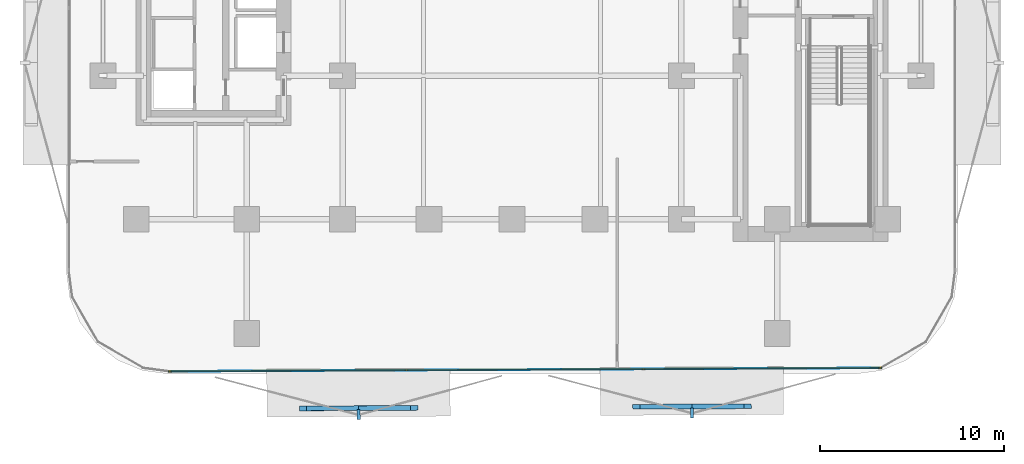
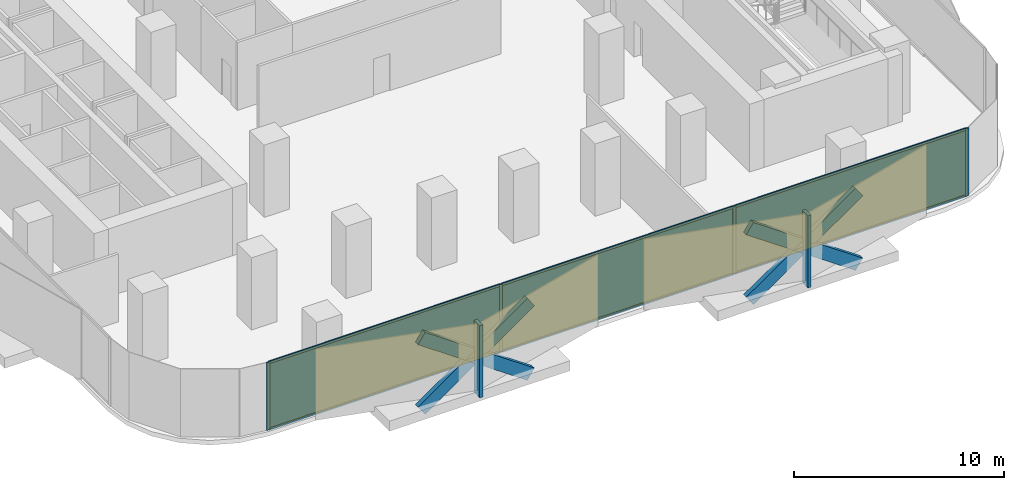
# One storey, part 7 of 15: 16 members, 3 plates, 1 curtain wall.
"""IFC4 building model written with IfcOpenShell, lengths in metres."""

from ifc_helpers import new_model, si_unit, direction, frame, frame_2d, origin, origin_2d, place, context, subcontext, project, spatial, rectangle, extrude, material, layer, layer_set, material_profile, profile_set, type_object, element, aggregate, save


model = new_model("IFC4")

# Units and contexts
model_context = context("Model", 3, precision=1e-05, world=origin(), true_north=direction((0.0, 1.0)))
body_context = subcontext(model_context, "Body", "Model", "MODEL_VIEW")
ifc_project = project(units=[si_unit("LENGTHUNIT", "METRE"), si_unit("AREAUNIT", "SQUARE_METRE"), si_unit("VOLUMEUNIT", "CUBIC_METRE"), si_unit("PLANEANGLEUNIT", "RADIAN"), si_unit("MASSUNIT", "GRAM", prefix="KILO")], contexts=[model_context])

# Member
ifc_material_1 = material(Name="Anodised Bronze Aluminium 6063-T6", Category="aluminium")
ifc_material_profile_1 = material_profile(ifc_material_1, rectangle(XDim=0.260009765625, YDim=0.699951171875, at=origin_2d()))
ifc_profile_set_1 = profile_set([ifc_material_profile_1], Name="Anodised Bronze Aluminium 6063-T6")
member_type_1 = type_object("IfcMemberType", Name="Bronze Diamond Solar-Screen Lattice Rib BDL-700", PredefinedType="MULLION", material=ifc_profile_set_1)
site_placement = place(None, origin())
building_placement = place(site_placement, origin())
storey_placement = place(building_placement, frame((0.0, 0.0, 30.199951171875)))
member_1_placement = place(storey_placement, frame((12.788818359375, -28.747802734375, -0.1298828125), z_axis=(-0.820743653079, -0.003984998518, 0.57128274586), x_axis=(-0.00764700594, 0.999962717129, -0.004010941449)))
member_1 = element("IfcMember", 1, at=member_1_placement, type_object=member_type_1, Name="L07 Bronze Diamond Solar Screen Lattice Rib 9A", PredefinedType="MULLION", context=body_context, shape_type="SweptSolid", body=[
    extrude(rectangle(XDim=0.260009765625, YDim=0.699951171875, at=origin_2d()), origin(), (0.0, 0.0, 1.0), 7.351806640625),
])

member_2_placement = place(storey_placement, frame((6.7548828125, -28.777099609375, -0.1298828125), z_axis=(0.820743653079, 0.003984998518, 0.57128274586), x_axis=(0.00764700594, -0.999962717129, -0.004010941449)))
member_2 = element("IfcMember", 2, at=member_2_placement, type_object=member_type_1, Name="L07 Bronze Diamond Solar Screen Lattice Rib 9B", PredefinedType="MULLION", context=body_context, shape_type="SweptSolid", body=[
    extrude(rectangle(XDim=0.260009765625, YDim=0.699951171875, at=origin_2d()), origin(), (0.0, 0.0, 1.0), 7.351806640625),
])

member_3_placement = place(storey_placement, frame((-5.31298828125, -28.835693359375, -0.1298828125), z_axis=(-0.820743653079, -0.003984998518, 0.57128274586), x_axis=(-0.00764700594, 0.999962717129, -0.004010941449)))
member_3 = element("IfcMember", 3, at=member_3_placement, type_object=member_type_1, Name="L07 Bronze Diamond Solar Screen Lattice Rib 10A", PredefinedType="MULLION", context=body_context, shape_type="SweptSolid", body=[
    extrude(rectangle(XDim=0.260009765625, YDim=0.699951171875, at=origin_2d()), origin(), (0.0, 0.0, 1.0), 7.351806640625),
])

member_4_placement = place(storey_placement, frame((-11.346923828125, -28.864990234375, -0.1298828125), z_axis=(0.820743653079, 0.003984998518, 0.57128274586), x_axis=(0.00764700594, -0.999962717129, -0.004010941449)))
member_4 = element("IfcMember", 4, at=member_4_placement, type_object=member_type_1, Name="L07 Bronze Diamond Solar Screen Lattice Rib 10B", PredefinedType="MULLION", context=body_context, shape_type="SweptSolid", body=[
    extrude(rectangle(XDim=0.260009765625, YDim=0.699951171875, at=origin_2d()), origin(), (0.0, 0.0, 1.0), 7.351806640625),
])

ifc_material_2 = material(Name="Anodised Bronze Aluminium 6063-T6", Category="aluminium")
ifc_material_profile_2 = material_profile(ifc_material_2, rectangle(XDim=0.179931640625, YDim=0.5400390625, at=origin_2d()))
ifc_profile_set_2 = profile_set([ifc_material_profile_2], Name="Anodised Bronze Aluminium 6063-T6")
member_type_2 = type_object("IfcMemberType", Name="Bronze Solar-Screen Vertical Fold Fin BSF-540", PredefinedType="MULLION", material=ifc_profile_set_2)
member_5_placement = place(storey_placement, frame((9.7734375, -29.1025390625, -0.1298828125), z_axis=(0.0, 0.0, 1.0), x_axis=(-0.999988059021, -0.004886902454, 0.0)))
member_5 = element("IfcMember", 5, at=member_5_placement, type_object=member_type_2, Name="L07 Bronze Solar Screen Vertical Fin 9", PredefinedType="MULLION", context=body_context, shape_type="SweptSolid", body=[
    extrude(rectangle(XDim=0.179931640625, YDim=0.5400390625, at=origin_2d()), origin(), (0.0, 0.0, 1.0), 4.199951171875),
])

member_6_placement = place(storey_placement, frame((-8.328369140625, -29.190185546875, -0.1298828125), z_axis=(0.0, 0.0, 1.0), x_axis=(-0.999988059021, -0.004886902454, 0.0)))
member_6 = element("IfcMember", 6, at=member_6_placement, type_object=member_type_2, Name="L07 Bronze Solar Screen Vertical Fin 10", PredefinedType="MULLION", context=body_context, shape_type="SweptSolid", body=[
    extrude(rectangle(XDim=0.179931640625, YDim=0.5400390625, at=origin_2d()), origin(), (0.0, 0.0, 1.0), 4.199951171875),
])

ifc_material_3 = material(Name="Anodised Bronze Aluminium 6063-T6", Category="aluminium")
ifc_material_profile_3 = material_profile(ifc_material_3, rectangle(XDim=0.06494140625, YDim=0.179931640625, at=origin_2d()))
ifc_profile_set_3 = profile_set([ifc_material_profile_3], Name="Anodised Bronze Aluminium 6063-T6")
member_type_3 = type_object("IfcMemberType", Name="CW-Z1 Mullion 65x180", PredefinedType="MULLION", material=ifc_profile_set_3)
member_7_placement = place(storey_placement, frame((19.98046875, -26.6728515625, 0.0), z_axis=(0.0, 0.0, 1.0), x_axis=(0.004849219095, -0.999988242468, 0.0)))
member_7 = element("IfcMember", 7, at=member_7_placement, type_object=member_type_3, Name="CW-Z1 mullion 1", PredefinedType="MULLION", context=body_context, shape_type="SweptSolid", body=[
    extrude(rectangle(XDim=0.06494140625, YDim=0.179931640625, at=origin_2d()), origin(), (0.0, 0.0, 1.0), 3.93994140625),
])

member_8_placement = place(storey_placement, frame((7.14501953125, -26.735107421875, 0.0), z_axis=(0.0, 0.0, 1.0), x_axis=(0.004849219095, -0.999988242468, 0.0)))
member_8 = element("IfcMember", 8, at=member_8_placement, type_object=member_type_3, Name="CW-Z1 mullion 2", PredefinedType="MULLION", context=body_context, shape_type="SweptSolid", body=[
    extrude(rectangle(XDim=0.06494140625, YDim=0.179931640625, at=origin_2d()), origin(), (0.0, 0.0, 1.0), 3.93994140625),
])

member_9_placement = place(storey_placement, frame((-5.722900390625, -26.797607421875, 0.0), z_axis=(0.0, 0.0, 1.0), x_axis=(0.004849219095, -0.999988242468, 0.0)))
member_9 = element("IfcMember", 9, at=member_9_placement, type_object=member_type_3, Name="CW-Z1 mullion 3", PredefinedType="MULLION", context=body_context, shape_type="SweptSolid", body=[
    extrude(rectangle(XDim=0.06494140625, YDim=0.179931640625, at=origin_2d()), origin(), (0.0, 0.0, 1.0), 3.93994140625),
])

member_10_placement = place(storey_placement, frame((-18.558349609375, -26.85986328125, 0.0), z_axis=(0.0, 0.0, 1.0), x_axis=(0.004849219095, -0.999988242468, 0.0)))
member_10 = element("IfcMember", 10, at=member_10_placement, type_object=member_type_3, Name="CW-Z1 mullion 4", PredefinedType="MULLION", context=body_context, shape_type="SweptSolid", body=[
    extrude(rectangle(XDim=0.06494140625, YDim=0.179931640625, at=origin_2d()), origin(), (0.0, 0.0, 1.0), 3.93994140625),
])

ifc_material_4 = material(Name="Anodised Bronze Aluminium 6063-T6", Category="aluminium")
ifc_material_profile_4 = material_profile(ifc_material_4, rectangle(XDim=0.06494140625, YDim=0.139892578125, at=origin_2d()))
ifc_profile_set_4 = profile_set([ifc_material_profile_4], Name="Anodised Bronze Aluminium 6063-T6")
member_type_4 = type_object("IfcMemberType", Name="CW-Z1 Transom 65x140", PredefinedType="USERDEFINED", material=ifc_profile_set_4)
member_11_placement = place(storey_placement, frame((19.947998046875, -26.673095703125, 0.032470703125), z_axis=(-0.99998821055, -0.004855796541, 0.0), x_axis=(0.004855796541, -0.99998821055, 0.0)))
member_11 = element("IfcMember", 11, at=member_11_placement, type_object=member_type_4, Name="CW-Z1 transom 1.1", ObjectType="TRANSOM", PredefinedType="USERDEFINED", context=body_context, shape_type="SweptSolid", body=[
    extrude(rectangle(XDim=0.06494140625, YDim=0.139892578125, at=origin_2d()), origin(), (0.0, 0.0, 1.0), 12.770751953125),
])

member_12_placement = place(storey_placement, frame((19.947998046875, -26.673095703125, 3.907470703125), z_axis=(-0.99998821055, -0.004855796541, 0.0), x_axis=(0.004855796541, -0.99998821055, 0.0)))
member_12 = element("IfcMember", 12, at=member_12_placement, type_object=member_type_4, Name="CW-Z1 transom 1.2", ObjectType="TRANSOM", PredefinedType="USERDEFINED", context=body_context, shape_type="SweptSolid", body=[
    extrude(rectangle(XDim=0.06494140625, YDim=0.139892578125, at=origin_2d()), origin(), (0.0, 0.0, 1.0), 12.770751953125),
])

member_13_placement = place(storey_placement, frame((7.112548828125, -26.7353515625, 0.032470703125), z_axis=(-0.999988270274, -0.004843481639, 0.0), x_axis=(0.004843481639, -0.999988270274, 0.0)))
member_13 = element("IfcMember", 13, at=member_13_placement, type_object=member_type_4, Name="CW-Z1 transom 2.1", ObjectType="TRANSOM", PredefinedType="USERDEFINED", context=body_context, shape_type="SweptSolid", body=[
    extrude(rectangle(XDim=0.06494140625, YDim=0.139892578125, at=origin_2d()), origin(), (0.0, 0.0, 1.0), 12.80322265625),
])

member_14_placement = place(storey_placement, frame((7.112548828125, -26.7353515625, 3.907470703125), z_axis=(-0.999988270274, -0.004843481639, 0.0), x_axis=(0.004843481639, -0.999988270274, 0.0)))
member_14 = element("IfcMember", 14, at=member_14_placement, type_object=member_type_4, Name="CW-Z1 transom 2.2", ObjectType="TRANSOM", PredefinedType="USERDEFINED", context=body_context, shape_type="SweptSolid", body=[
    extrude(rectangle(XDim=0.06494140625, YDim=0.139892578125, at=origin_2d()), origin(), (0.0, 0.0, 1.0), 12.80322265625),
])

member_15_placement = place(storey_placement, frame((-5.75537109375, -26.7978515625, 0.032470703125), z_axis=(-0.999988303196, -0.00483667968, 0.0), x_axis=(0.00483667968, -0.999988303196, 0.0)))
member_15 = element("IfcMember", 15, at=member_15_placement, type_object=member_type_4, Name="CW-Z1 transom 3.1", ObjectType="TRANSOM", PredefinedType="USERDEFINED", context=body_context, shape_type="SweptSolid", body=[
    extrude(rectangle(XDim=0.06494140625, YDim=0.139892578125, at=origin_2d()), origin(), (0.0, 0.0, 1.0), 12.770751953125),
])

member_16_placement = place(storey_placement, frame((-5.75537109375, -26.7978515625, 3.907470703125), z_axis=(-0.999988303196, -0.00483667968, 0.0), x_axis=(0.00483667968, -0.999988303196, 0.0)))
member_16 = element("IfcMember", 16, at=member_16_placement, type_object=member_type_4, Name="CW-Z1 transom 3.2", ObjectType="TRANSOM", PredefinedType="USERDEFINED", context=body_context, shape_type="SweptSolid", body=[
    extrude(rectangle(XDim=0.06494140625, YDim=0.139892578125, at=origin_2d()), origin(), (0.0, 0.0, 1.0), 12.770751953125),
])

# Plate
ifc_material_5 = material(Name="Low-E Solar Control Laminated Glass", Category="glass")
ifc_layer_1 = layer(ifc_material_5, 0.028076171875, Name="Low-E Solar Control Laminated Glass")
ifc_layer_set_1 = layer_set([ifc_layer_1], Name="Low-E Solar Control Laminated Glass")
plate_type = type_object("IfcPlateType", Name="CW-Z1 Low-E Double Glazed Panel 28mm", PredefinedType="CURTAIN_PANEL", material=ifc_layer_set_1)
plate_1_placement = place(storey_placement, frame((13.562744140625, -26.7041015625, 0.06494140625), z_axis=(0.0, 0.0, 1.0), x_axis=(-0.999988242468, -0.004849219095, 0.0)))
plate_1 = element("IfcPlate", 17, at=plate_1_placement, type_object=plate_type, Name="CW-Z1 panel 1.1", PredefinedType="CURTAIN_PANEL", context=body_context, shape_type="SweptSolid", body=[
    extrude(rectangle(XDim=12.7705078125, YDim=0.028076171875, at=origin_2d()), origin(), (0.0, 0.0, 1.0), 3.81005859375),
])

plate_2_placement = place(storey_placement, frame((0.7109375, -26.766357421875, 0.06494140625), z_axis=(0.0, 0.0, 1.0), x_axis=(-0.999988242468, -0.004849219095, 0.0)))
plate_2 = element("IfcPlate", 18, at=plate_2_placement, type_object=plate_type, Name="CW-Z1 panel 2.1", PredefinedType="CURTAIN_PANEL", context=body_context, shape_type="SweptSolid", body=[
    extrude(rectangle(XDim=12.802978515625, YDim=0.028076171875, at=origin_2d()), origin(), (0.0, 0.0, 1.0), 3.81005859375),
])

plate_3_placement = place(storey_placement, frame((-12.140625, -26.82861328125, 0.06494140625), z_axis=(0.0, 0.0, 1.0), x_axis=(-0.999988242468, -0.004849219095, 0.0)))
plate_3 = element("IfcPlate", 19, at=plate_3_placement, type_object=plate_type, Name="CW-Z1 panel 3.1", PredefinedType="CURTAIN_PANEL", context=body_context, shape_type="SweptSolid", body=[
    extrude(rectangle(XDim=12.7705078125, YDim=0.028076171875, at=origin_2d()), origin(), (0.0, 0.0, 1.0), 3.81005859375),
])

# Site, building, storey
site = spatial("IfcSite", under=ifc_project, at=site_placement, CompositionType="ELEMENT")
building = spatial("IfcBuilding", under=site, at=building_placement, Name="Khairoan Windgate Tower", CompositionType="ELEMENT")
storey = spatial("IfcBuildingStorey", under=building, at=storey_placement, Name="L07", CompositionType="ELEMENT", Elevation=30.199951171875)

# Curtain wall
ifc_material_6 = material(Name="Anodised Bronze Aluminium 6063-T6", Category="aluminium")
ifc_layer_2 = layer(ifc_material_6, 0.179931640625, Name="Anodised Bronze Aluminium 6063-T6")
ifc_layer_set_2 = layer_set([ifc_layer_2], Name="Anodised Bronze Aluminium 6063-T6")
curtain_wall_type = type_object("IfcCurtainWallType", Name="Low-Rise Office Unitised Curtain Wall CW-Z1", PredefinedType="NOTDEFINED", material=ifc_layer_set_2)
curtain_wall_placement = place(storey_placement, frame((20.012939453125, -26.6728515625, 0.0), z_axis=(0.0, 0.0, 1.0), x_axis=(-0.999988235487, -0.004850658525, 0.0)))
curtain_wall = element("IfcCurtainWall", 20, at=curtain_wall_placement, inside=storey, type_object=curtain_wall_type, Name="L07 Unitised Curtain Wall 1", PredefinedType="NOTDEFINED", context=body_context, shape_type="SweptSolid", body=[
    extrude(rectangle(XDim=38.604248046875, YDim=0.010009765625, at=frame_2d((19.30224609375, 0.0))), origin(), (0.0, 0.0, 1.0), 3.93994140625),
])

aggregate(curtain_wall, [member_7, member_8, member_9, member_10, member_11, member_12, plate_1, member_13, member_14, plate_2, member_15, member_16, plate_3, member_1, member_2, member_5, member_3, member_4, member_6])

save(model, "model.ifc")
